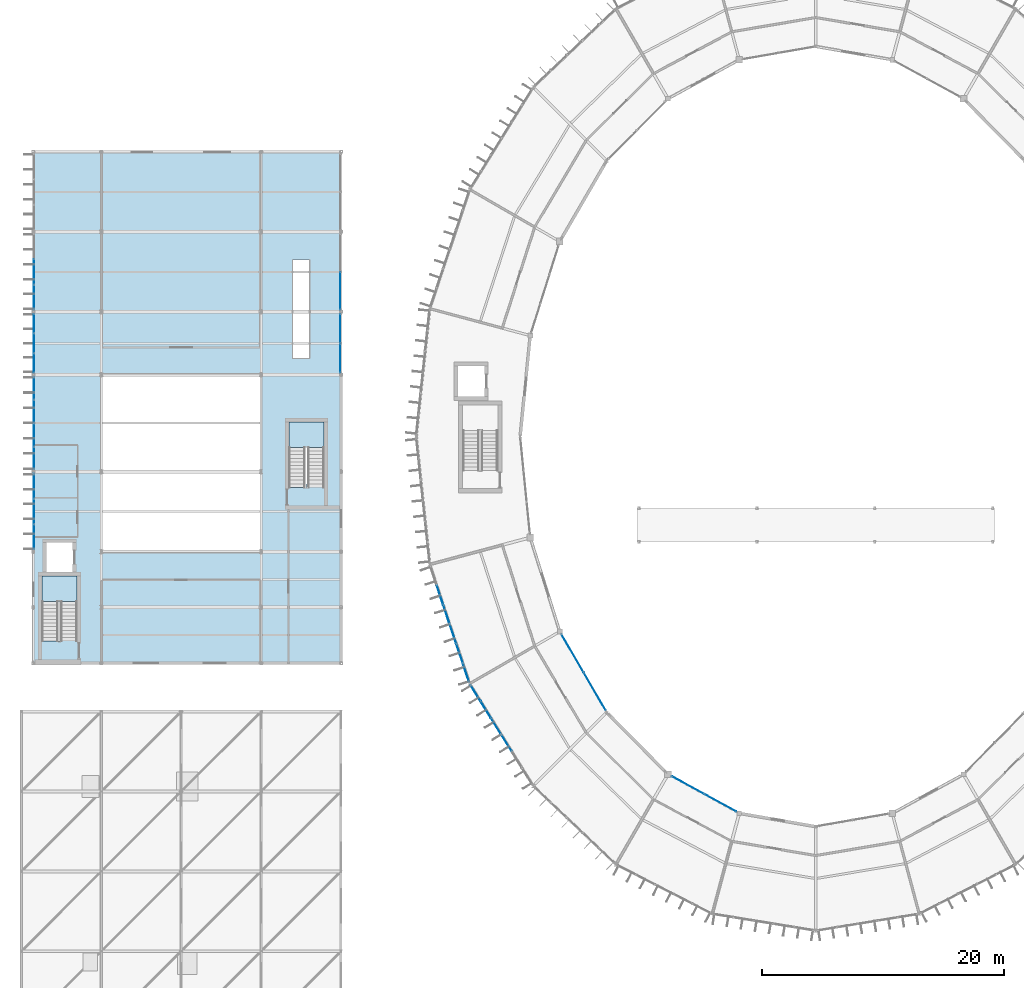
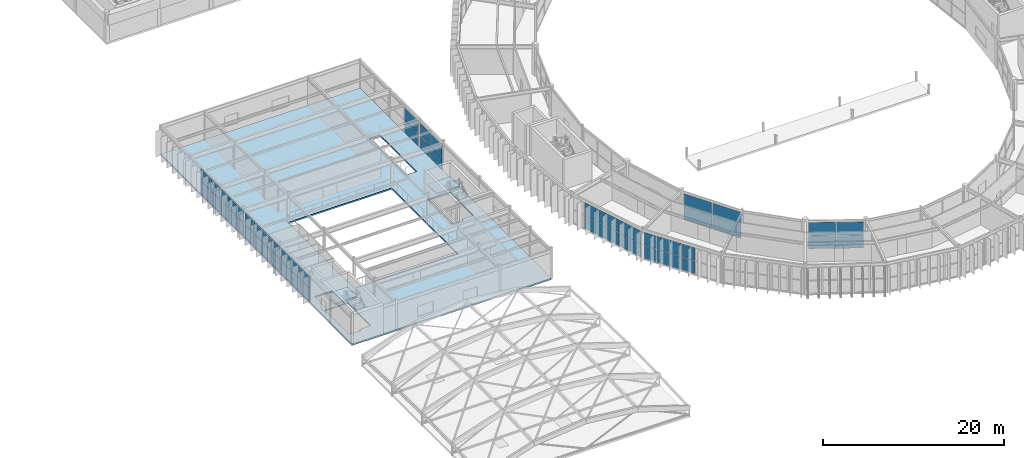
# One storey, part 113 of 157: 56 plates, 3 slabs, 12 elements without a shape of their own.
"""IFC4 building model written with IfcOpenShell, lengths in metres."""

from ifc_helpers import new_model, si_unit, direction, frame, origin, origin_2d, place, context, subcontext, project, spatial, polyline, rectangle, outline, extrude, material, layer, layer_set, type_object, element, aggregate, save


model = new_model("IFC4")

# Units and contexts
model_context = context("Model", 3, precision=1e-05, world=origin(), true_north=direction((0.0, 1.0)))
body_context = subcontext(model_context, "Body", "Model", "MODEL_VIEW")
ifc_project = project(units=[si_unit("LENGTHUNIT", "METRE"), si_unit("AREAUNIT", "SQUARE_METRE"), si_unit("VOLUMEUNIT", "CUBIC_METRE"), si_unit("PLANEANGLEUNIT", "RADIAN"), si_unit("MASSUNIT", "GRAM", prefix="KILO")], contexts=[model_context])

# Site, building, storey
site_placement = place(None, origin())
site = spatial("IfcSite", under=ifc_project, at=site_placement, CompositionType="ELEMENT")
building_placement = place(site_placement, origin())
building = spatial("IfcBuilding", under=site, at=building_placement, Name="Karori Crest Natural Sciences Institute", CompositionType="ELEMENT")
storey_placement = place(building_placement, frame((0.0, 0.0, 13.300048828125)))
storey = spatial("IfcBuildingStorey", under=building, at=storey_placement, Name="L03", CompositionType="ELEMENT", Elevation=13.300048828125)

# Curtain wall, plates
ifc_material_1 = material(Name="Anodised architectural aluminium 6063-T6", Category="aluminium")
curtain_wall_type_1 = type_object("IfcCurtainWallType", Name="CWT-15", PredefinedType="NOTDEFINED", material=ifc_material_1)
curtain_wall_1_placement = place(storey_placement, origin())
curtain_wall_1 = element("IfcCurtainWall", 1, at=curtain_wall_1_placement, inside=storey, type_object=curtain_wall_type_1, Name="Curtain wall CW-0122", PredefinedType="NOTDEFINED")
ifc_material_2 = material(Name="Double low-E laminated glass", Category="glass")
ifc_layer_1 = layer(ifc_material_2, 0.02392578125, Name="Double low-E laminated glass")
ifc_layer_set_1 = layer_set([ifc_layer_1], Name="Double low-E laminated glass")
plate_type_1 = type_object("IfcPlateType", Name="CWP-01", PredefinedType="CURTAIN_PANEL", material=ifc_layer_set_1)
plate_1_placement = place(storey_placement, frame((46.318115234375, 31.995849609375, 0.06005859375), z_axis=(0.0, 0.0, 1.0), x_axis=(0.502654910341, -0.864487154971, 0.0)))
plate_1 = element("IfcPlate", 2, at=plate_1_placement, type_object=plate_type_1, Name="CW-0122 panel 1.1", PredefinedType="CURTAIN_PANEL", context=body_context, shape_type="SweptSolid", body=[
    extrude(rectangle(XDim=3.585205078125, YDim=0.02392578125, at=origin_2d()), origin(), (0.0, 0.0, 1.0), 1.735107421875),
])
plate_2_placement = place(storey_placement, frame((46.318115234375, 31.995849609375, 1.85498046875), z_axis=(0.0, 0.0, 1.0), x_axis=(0.502654910341, -0.864487154971, 0.0)))
plate_2 = element("IfcPlate", 3, at=plate_2_placement, type_object=plate_type_1, Name="CW-0122 panel 1.2", PredefinedType="CURTAIN_PANEL", context=body_context, shape_type="SweptSolid", body=[
    extrude(rectangle(XDim=3.585205078125, YDim=0.02392578125, at=origin_2d()), origin(), (0.0, 0.0, 1.0), 1.735107421875),
])
plate_3_placement = place(storey_placement, frame((48.15283203125, 28.84033203125, 0.06005859375), z_axis=(0.0, 0.0, 1.0), x_axis=(0.502654910341, -0.864487154971, 0.0)))
plate_3 = element("IfcPlate", 4, at=plate_3_placement, type_object=plate_type_1, Name="CW-0122 panel 2.1", PredefinedType="CURTAIN_PANEL", context=body_context, shape_type="SweptSolid", body=[
    extrude(rectangle(XDim=3.585205078125, YDim=0.02392578125, at=origin_2d()), origin(), (0.0, 0.0, 1.0), 1.735107421875),
])
plate_4_placement = place(storey_placement, frame((48.15283203125, 28.84033203125, 1.85498046875), z_axis=(0.0, 0.0, 1.0), x_axis=(0.502654910341, -0.864487154971, 0.0)))
plate_4 = element("IfcPlate", 5, at=plate_4_placement, type_object=plate_type_1, Name="CW-0122 panel 2.2", PredefinedType="CURTAIN_PANEL", context=body_context, shape_type="SweptSolid", body=[
    extrude(rectangle(XDim=3.585205078125, YDim=0.02392578125, at=origin_2d()), origin(), (0.0, 0.0, 1.0), 1.735107421875),
])
aggregate(curtain_wall_1, [plate_1, plate_2, plate_3, plate_4])

curtain_wall_type_2 = type_object("IfcCurtainWallType", Name="CWT-12", PredefinedType="NOTDEFINED", material=ifc_material_1)
curtain_wall_2_placement = place(storey_placement, origin())
curtain_wall_2 = element("IfcCurtainWall", 6, at=curtain_wall_2_placement, inside=storey, type_object=curtain_wall_type_2, Name="Curtain wall CW-0125", PredefinedType="NOTDEFINED")
plate_5_placement = place(storey_placement, frame((55.8408203125, 21.116943359375, 0.06005859375), z_axis=(0.0, 0.0, 1.0), x_axis=(0.877470277057, -0.479631017431, 0.0)))
plate_5 = element("IfcPlate", 7, at=plate_5_placement, type_object=plate_type_1, Name="CW-0125 panel 1.1", PredefinedType="CURTAIN_PANEL", context=body_context, shape_type="SweptSolid", body=[
    extrude(rectangle(XDim=2.987060546875, YDim=0.02392578125, at=origin_2d()), origin(), (0.0, 0.0, 1.0), 1.735107421875),
])
plate_6_placement = place(storey_placement, frame((55.8408203125, 21.116943359375, 1.85498046875), z_axis=(0.0, 0.0, 1.0), x_axis=(0.877470277057, -0.479631017431, 0.0)))
plate_6 = element("IfcPlate", 8, at=plate_6_placement, type_object=plate_type_1, Name="CW-0125 panel 1.2", PredefinedType="CURTAIN_PANEL", context=body_context, shape_type="SweptSolid", body=[
    extrude(rectangle(XDim=2.987060546875, YDim=0.02392578125, at=origin_2d()), origin(), (0.0, 0.0, 1.0), 1.735107421875),
])
plate_7_placement = place(storey_placement, frame((58.51904296875, 19.653076171875, 0.06005859375), z_axis=(0.0, 0.0, 1.0), x_axis=(0.877470277057, -0.479631017431, 0.0)))
plate_7 = element("IfcPlate", 9, at=plate_7_placement, type_object=plate_type_1, Name="CW-0125 panel 2.1", PredefinedType="CURTAIN_PANEL", context=body_context, shape_type="SweptSolid", body=[
    extrude(rectangle(XDim=2.987060546875, YDim=0.02392578125, at=origin_2d()), origin(), (0.0, 0.0, 1.0), 1.735107421875),
])
plate_8_placement = place(storey_placement, frame((58.51904296875, 19.653076171875, 1.85498046875), z_axis=(0.0, 0.0, 1.0), x_axis=(0.877470277057, -0.479631017431, 0.0)))
plate_8 = element("IfcPlate", 10, at=plate_8_placement, type_object=plate_type_1, Name="CW-0125 panel 2.2", PredefinedType="CURTAIN_PANEL", context=body_context, shape_type="SweptSolid", body=[
    extrude(rectangle(XDim=2.987060546875, YDim=0.02392578125, at=origin_2d()), origin(), (0.0, 0.0, 1.0), 1.735107421875),
])
aggregate(curtain_wall_2, [plate_5, plate_6, plate_7, plate_8])

curtain_wall_type_3 = type_object("IfcCurtainWallType", Name="CWT-17", PredefinedType="NOTDEFINED", material=ifc_material_1)
curtain_wall_3_placement = place(storey_placement, origin())
curtain_wall_3 = element("IfcCurtainWall", 11, at=curtain_wall_3_placement, inside=storey, type_object=curtain_wall_type_3, Name="Curtain wall CW-0278", PredefinedType="NOTDEFINED")
plate_9_placement = place(storey_placement, frame((1.860107421875, 41.59814453125, 0.06005859375), z_axis=(0.0, 0.0, 1.0), x_axis=(0.0, 1.0, 0.0)))
plate_9 = element("IfcPlate", 12, at=plate_9_placement, type_object=plate_type_1, Name="CW-0278 panel 1.1", PredefinedType="CURTAIN_PANEL", context=body_context, shape_type="SweptSolid", body=[
    extrude(rectangle(XDim=2.0205078125, YDim=0.02392578125, at=origin_2d()), origin(), (0.0, 0.0, 1.0), 1.632568359375),
])
plate_10_placement = place(storey_placement, frame((1.860107421875, 41.59814453125, 1.75244140625), z_axis=(0.0, 0.0, 1.0), x_axis=(0.0, 1.0, 0.0)))
plate_10 = element("IfcPlate", 13, at=plate_10_placement, type_object=plate_type_1, Name="CW-0278 panel 1.2", PredefinedType="CURTAIN_PANEL", context=body_context, shape_type="SweptSolid", body=[
    extrude(rectangle(XDim=2.0205078125, YDim=0.02392578125, at=origin_2d()), origin(), (0.0, 0.0, 1.0), 1.632568359375),
])
plate_11_placement = place(storey_placement, frame((1.860107421875, 43.699951171875, 0.06005859375), z_axis=(0.0, 0.0, 1.0), x_axis=(0.0, 1.0, 0.0)))
plate_11 = element("IfcPlate", 14, at=plate_11_placement, type_object=plate_type_1, Name="CW-0278 panel 2.1", PredefinedType="CURTAIN_PANEL", context=body_context, shape_type="SweptSolid", body=[
    extrude(rectangle(XDim=2.052978515625, YDim=0.02392578125, at=origin_2d()), origin(), (0.0, 0.0, 1.0), 1.632568359375),
])
plate_12_placement = place(storey_placement, frame((1.860107421875, 43.699951171875, 1.75244140625), z_axis=(0.0, 0.0, 1.0), x_axis=(0.0, 1.0, 0.0)))
plate_12 = element("IfcPlate", 15, at=plate_12_placement, type_object=plate_type_1, Name="CW-0278 panel 2.2", PredefinedType="CURTAIN_PANEL", context=body_context, shape_type="SweptSolid", body=[
    extrude(rectangle(XDim=2.052978515625, YDim=0.02392578125, at=origin_2d()), origin(), (0.0, 0.0, 1.0), 1.632568359375),
])
plate_13_placement = place(storey_placement, frame((1.860107421875, 45.8017578125, 0.06005859375), z_axis=(0.0, 0.0, 1.0), x_axis=(0.0, 1.0, 0.0)))
plate_13 = element("IfcPlate", 16, at=plate_13_placement, type_object=plate_type_1, Name="CW-0278 panel 3.1", PredefinedType="CURTAIN_PANEL", context=body_context, shape_type="SweptSolid", body=[
    extrude(rectangle(XDim=2.0205078125, YDim=0.02392578125, at=origin_2d()), origin(), (0.0, 0.0, 1.0), 1.632568359375),
])
plate_14_placement = place(storey_placement, frame((1.860107421875, 45.8017578125, 1.75244140625), z_axis=(0.0, 0.0, 1.0), x_axis=(0.0, 1.0, 0.0)))
plate_14 = element("IfcPlate", 17, at=plate_14_placement, type_object=plate_type_1, Name="CW-0278 panel 3.2", PredefinedType="CURTAIN_PANEL", context=body_context, shape_type="SweptSolid", body=[
    extrude(rectangle(XDim=2.0205078125, YDim=0.02392578125, at=origin_2d()), origin(), (0.0, 0.0, 1.0), 1.632568359375),
])
aggregate(curtain_wall_3, [plate_9, plate_10, plate_11, plate_12, plate_13, plate_14])

curtain_wall_4_placement = place(storey_placement, origin())
curtain_wall_4 = element("IfcCurtainWall", 18, at=curtain_wall_4_placement, inside=storey, type_object=curtain_wall_type_3, Name="Curtain wall CW-0279", PredefinedType="NOTDEFINED")
plate_15_placement = place(storey_placement, frame((1.860107421875, 48.1083984375, 0.06005859375), z_axis=(0.0, 0.0, 1.0), x_axis=(0.0, 1.0, 0.0)))
plate_15 = element("IfcPlate", 19, at=plate_15_placement, type_object=plate_type_1, Name="CW-0279 panel 1.1", PredefinedType="CURTAIN_PANEL", context=body_context, shape_type="SweptSolid", body=[
    extrude(rectangle(XDim=1.841064453125, YDim=0.02392578125, at=origin_2d()), origin(), (0.0, 0.0, 1.0), 1.632568359375),
])
plate_16_placement = place(storey_placement, frame((1.860107421875, 48.1083984375, 1.75244140625), z_axis=(0.0, 0.0, 1.0), x_axis=(0.0, 1.0, 0.0)))
plate_16 = element("IfcPlate", 20, at=plate_16_placement, type_object=plate_type_1, Name="CW-0279 panel 1.2", PredefinedType="CURTAIN_PANEL", context=body_context, shape_type="SweptSolid", body=[
    extrude(rectangle(XDim=1.841064453125, YDim=0.02392578125, at=origin_2d()), origin(), (0.0, 0.0, 1.0), 1.632568359375),
])
plate_17_placement = place(storey_placement, frame((1.860107421875, 50.03076171875, 0.06005859375), z_axis=(0.0, 0.0, 1.0), x_axis=(0.0, 1.0, 0.0)))
plate_17 = element("IfcPlate", 21, at=plate_17_placement, type_object=plate_type_1, Name="CW-0279 panel 2.1", PredefinedType="CURTAIN_PANEL", context=body_context, shape_type="SweptSolid", body=[
    extrude(rectangle(XDim=1.87353515625, YDim=0.02392578125, at=origin_2d()), origin(), (0.0, 0.0, 1.0), 1.632568359375),
])
plate_18_placement = place(storey_placement, frame((1.860107421875, 50.03076171875, 1.75244140625), z_axis=(0.0, 0.0, 1.0), x_axis=(0.0, 1.0, 0.0)))
plate_18 = element("IfcPlate", 22, at=plate_18_placement, type_object=plate_type_1, Name="CW-0279 panel 2.2", PredefinedType="CURTAIN_PANEL", context=body_context, shape_type="SweptSolid", body=[
    extrude(rectangle(XDim=1.87353515625, YDim=0.02392578125, at=origin_2d()), origin(), (0.0, 0.0, 1.0), 1.632568359375),
])
plate_19_placement = place(storey_placement, frame((1.860107421875, 51.96923828125, 0.06005859375), z_axis=(0.0, 0.0, 1.0), x_axis=(0.0, 1.0, 0.0)))
plate_19 = element("IfcPlate", 23, at=plate_19_placement, type_object=plate_type_1, Name="CW-0279 panel 3.1", PredefinedType="CURTAIN_PANEL", context=body_context, shape_type="SweptSolid", body=[
    extrude(rectangle(XDim=1.87353515625, YDim=0.02392578125, at=origin_2d()), origin(), (0.0, 0.0, 1.0), 1.632568359375),
])
plate_20_placement = place(storey_placement, frame((1.860107421875, 51.96923828125, 1.75244140625), z_axis=(0.0, 0.0, 1.0), x_axis=(0.0, 1.0, 0.0)))
plate_20 = element("IfcPlate", 24, at=plate_20_placement, type_object=plate_type_1, Name="CW-0279 panel 3.2", PredefinedType="CURTAIN_PANEL", context=body_context, shape_type="SweptSolid", body=[
    extrude(rectangle(XDim=1.87353515625, YDim=0.02392578125, at=origin_2d()), origin(), (0.0, 0.0, 1.0), 1.632568359375),
])
plate_21_placement = place(storey_placement, frame((1.860107421875, 53.8916015625, 0.06005859375), z_axis=(0.0, 0.0, 1.0), x_axis=(0.0, 1.0, 0.0)))
plate_21 = element("IfcPlate", 25, at=plate_21_placement, type_object=plate_type_1, Name="CW-0279 panel 4.1", PredefinedType="CURTAIN_PANEL", context=body_context, shape_type="SweptSolid", body=[
    extrude(rectangle(XDim=1.841064453125, YDim=0.02392578125, at=origin_2d()), origin(), (0.0, 0.0, 1.0), 1.632568359375),
])
plate_22_placement = place(storey_placement, frame((1.860107421875, 53.8916015625, 1.75244140625), z_axis=(0.0, 0.0, 1.0), x_axis=(0.0, 1.0, 0.0)))
plate_22 = element("IfcPlate", 26, at=plate_22_placement, type_object=plate_type_1, Name="CW-0279 panel 4.2", PredefinedType="CURTAIN_PANEL", context=body_context, shape_type="SweptSolid", body=[
    extrude(rectangle(XDim=1.841064453125, YDim=0.02392578125, at=origin_2d()), origin(), (0.0, 0.0, 1.0), 1.632568359375),
])
aggregate(curtain_wall_4, [plate_15, plate_16, plate_17, plate_18, plate_19, plate_20, plate_21, plate_22])

curtain_wall_5_placement = place(storey_placement, origin())
curtain_wall_5 = element("IfcCurtainWall", 27, at=curtain_wall_5_placement, inside=storey, type_object=curtain_wall_type_3, Name="Curtain wall CW-0280", PredefinedType="NOTDEFINED")
plate_23_placement = place(storey_placement, frame((1.860107421875, 55.96484375, 0.06005859375), z_axis=(0.0, 0.0, 1.0), x_axis=(0.0, 1.0, 0.0)))
plate_23 = element("IfcPlate", 28, at=plate_23_placement, type_object=plate_type_1, Name="CW-0280 panel 1.1", PredefinedType="CURTAIN_PANEL", context=body_context, shape_type="SweptSolid", body=[
    extrude(rectangle(XDim=1.553955078125, YDim=0.02392578125, at=origin_2d()), origin(), (0.0, 0.0, 1.0), 1.632568359375),
])
plate_24_placement = place(storey_placement, frame((1.860107421875, 55.96484375, 1.75244140625), z_axis=(0.0, 0.0, 1.0), x_axis=(0.0, 1.0, 0.0)))
plate_24 = element("IfcPlate", 29, at=plate_24_placement, type_object=plate_type_1, Name="CW-0280 panel 1.2", PredefinedType="CURTAIN_PANEL", context=body_context, shape_type="SweptSolid", body=[
    extrude(rectangle(XDim=1.553955078125, YDim=0.02392578125, at=origin_2d()), origin(), (0.0, 0.0, 1.0), 1.632568359375),
])
plate_25_placement = place(storey_placement, frame((1.860107421875, 57.60009765625, 0.06005859375), z_axis=(0.0, 0.0, 1.0), x_axis=(0.0, 1.0, 0.0)))
plate_25 = element("IfcPlate", 30, at=plate_25_placement, type_object=plate_type_1, Name="CW-0280 panel 2.1", PredefinedType="CURTAIN_PANEL", context=body_context, shape_type="SweptSolid", body=[
    extrude(rectangle(XDim=1.58642578125, YDim=0.02392578125, at=origin_2d()), origin(), (0.0, 0.0, 1.0), 1.632568359375),
])
plate_26_placement = place(storey_placement, frame((1.860107421875, 57.60009765625, 1.75244140625), z_axis=(0.0, 0.0, 1.0), x_axis=(0.0, 1.0, 0.0)))
plate_26 = element("IfcPlate", 31, at=plate_26_placement, type_object=plate_type_1, Name="CW-0280 panel 2.2", PredefinedType="CURTAIN_PANEL", context=body_context, shape_type="SweptSolid", body=[
    extrude(rectangle(XDim=1.58642578125, YDim=0.02392578125, at=origin_2d()), origin(), (0.0, 0.0, 1.0), 1.632568359375),
])
plate_27_placement = place(storey_placement, frame((1.860107421875, 59.235107421875, 0.06005859375), z_axis=(0.0, 0.0, 1.0), x_axis=(0.0, 1.0, 0.0)))
plate_27 = element("IfcPlate", 32, at=plate_27_placement, type_object=plate_type_1, Name="CW-0280 panel 3.1", PredefinedType="CURTAIN_PANEL", context=body_context, shape_type="SweptSolid", body=[
    extrude(rectangle(XDim=1.553955078125, YDim=0.02392578125, at=origin_2d()), origin(), (0.0, 0.0, 1.0), 1.632568359375),
])
plate_28_placement = place(storey_placement, frame((1.860107421875, 59.235107421875, 1.75244140625), z_axis=(0.0, 0.0, 1.0), x_axis=(0.0, 1.0, 0.0)))
plate_28 = element("IfcPlate", 33, at=plate_28_placement, type_object=plate_type_1, Name="CW-0280 panel 3.2", PredefinedType="CURTAIN_PANEL", context=body_context, shape_type="SweptSolid", body=[
    extrude(rectangle(XDim=1.553955078125, YDim=0.02392578125, at=origin_2d()), origin(), (0.0, 0.0, 1.0), 1.632568359375),
])
aggregate(curtain_wall_5, [plate_23, plate_24, plate_25, plate_26, plate_27, plate_28])

curtain_wall_6_placement = place(storey_placement, origin())
curtain_wall_6 = element("IfcCurtainWall", 34, at=curtain_wall_6_placement, inside=storey, type_object=curtain_wall_type_3, Name="Curtain wall CW-0281", PredefinedType="NOTDEFINED")
plate_29_placement = place(storey_placement, frame((1.860107421875, 61.398193359375, 0.06005859375), z_axis=(0.0, 0.0, 1.0), x_axis=(0.0, 1.0, 0.0)))
plate_29 = element("IfcPlate", 35, at=plate_29_placement, type_object=plate_type_1, Name="CW-0281 panel 1.1", PredefinedType="CURTAIN_PANEL", context=body_context, shape_type="SweptSolid", body=[
    extrude(rectangle(XDim=2.0205078125, YDim=0.02392578125, at=origin_2d()), origin(), (0.0, 0.0, 1.0), 1.632568359375),
])
plate_30_placement = place(storey_placement, frame((1.860107421875, 61.398193359375, 1.75244140625), z_axis=(0.0, 0.0, 1.0), x_axis=(0.0, 1.0, 0.0)))
plate_30 = element("IfcPlate", 36, at=plate_30_placement, type_object=plate_type_1, Name="CW-0281 panel 1.2", PredefinedType="CURTAIN_PANEL", context=body_context, shape_type="SweptSolid", body=[
    extrude(rectangle(XDim=2.0205078125, YDim=0.02392578125, at=origin_2d()), origin(), (0.0, 0.0, 1.0), 1.632568359375),
])
plate_31_placement = place(storey_placement, frame((1.860107421875, 63.5, 0.06005859375), z_axis=(0.0, 0.0, 1.0), x_axis=(0.0, 1.0, 0.0)))
plate_31 = element("IfcPlate", 37, at=plate_31_placement, type_object=plate_type_1, Name="CW-0281 panel 2.1", PredefinedType="CURTAIN_PANEL", context=body_context, shape_type="SweptSolid", body=[
    extrude(rectangle(XDim=2.052978515625, YDim=0.02392578125, at=origin_2d()), origin(), (0.0, 0.0, 1.0), 1.632568359375),
])
plate_32_placement = place(storey_placement, frame((1.860107421875, 63.5, 1.75244140625), z_axis=(0.0, 0.0, 1.0), x_axis=(0.0, 1.0, 0.0)))
plate_32 = element("IfcPlate", 38, at=plate_32_placement, type_object=plate_type_1, Name="CW-0281 panel 2.2", PredefinedType="CURTAIN_PANEL", context=body_context, shape_type="SweptSolid", body=[
    extrude(rectangle(XDim=2.052978515625, YDim=0.02392578125, at=origin_2d()), origin(), (0.0, 0.0, 1.0), 1.632568359375),
])
aggregate(curtain_wall_6, [plate_29, plate_30, plate_31, plate_32])

curtain_wall_type_4 = type_object("IfcCurtainWallType", Name="CWT-18", PredefinedType="NOTDEFINED", material=ifc_material_1)
curtain_wall_7_placement = place(storey_placement, origin())
curtain_wall_7 = element("IfcCurtainWall", 39, at=curtain_wall_7_placement, inside=storey, type_object=curtain_wall_type_4, Name="Curtain wall CW-0283", PredefinedType="NOTDEFINED")
plate_33_placement = place(storey_placement, frame((27.139892578125, 58.822265625, 0.06005859375), z_axis=(0.0, 0.0, 1.0), x_axis=(0.0, -1.0, 0.0)))
plate_33 = element("IfcPlate", 40, at=plate_33_placement, type_object=plate_type_1, Name="CW-0283 panel 1.1", PredefinedType="CURTAIN_PANEL", context=body_context, shape_type="SweptSolid", body=[
    extrude(rectangle(XDim=2.37939453125, YDim=0.02392578125, at=origin_2d()), origin(), (0.0, 0.0, 1.0), 1.632568359375),
])
plate_34_placement = place(storey_placement, frame((27.139892578125, 58.822265625, 1.75244140625), z_axis=(0.0, 0.0, 1.0), x_axis=(0.0, -1.0, 0.0)))
plate_34 = element("IfcPlate", 41, at=plate_34_placement, type_object=plate_type_1, Name="CW-0283 panel 1.2", PredefinedType="CURTAIN_PANEL", context=body_context, shape_type="SweptSolid", body=[
    extrude(rectangle(XDim=2.37939453125, YDim=0.02392578125, at=origin_2d()), origin(), (0.0, 0.0, 1.0), 1.632568359375),
])
plate_35_placement = place(storey_placement, frame((27.139892578125, 56.377685546875, 0.06005859375), z_axis=(0.0, 0.0, 1.0), x_axis=(0.0, -1.0, 0.0)))
plate_35 = element("IfcPlate", 42, at=plate_35_placement, type_object=plate_type_1, Name="CW-0283 panel 2.1", PredefinedType="CURTAIN_PANEL", context=body_context, shape_type="SweptSolid", body=[
    extrude(rectangle(XDim=2.37939453125, YDim=0.02392578125, at=origin_2d()), origin(), (0.0, 0.0, 1.0), 1.632568359375),
])
plate_36_placement = place(storey_placement, frame((27.139892578125, 56.377685546875, 1.75244140625), z_axis=(0.0, 0.0, 1.0), x_axis=(0.0, -1.0, 0.0)))
plate_36 = element("IfcPlate", 43, at=plate_36_placement, type_object=plate_type_1, Name="CW-0283 panel 2.2", PredefinedType="CURTAIN_PANEL", context=body_context, shape_type="SweptSolid", body=[
    extrude(rectangle(XDim=2.37939453125, YDim=0.02392578125, at=origin_2d()), origin(), (0.0, 0.0, 1.0), 1.632568359375),
])
aggregate(curtain_wall_7, [plate_33, plate_34, plate_35, plate_36])

curtain_wall_8_placement = place(storey_placement, origin())
curtain_wall_8 = element("IfcCurtainWall", 44, at=curtain_wall_8_placement, inside=storey, type_object=curtain_wall_type_4, Name="Curtain wall CW-0284", PredefinedType="NOTDEFINED")
plate_37_placement = place(storey_placement, frame((27.139892578125, 61.927734375, 0.06005859375), z_axis=(0.0, 0.0, 1.0), x_axis=(0.0, -1.0, 0.0)))
plate_37 = element("IfcPlate", 45, at=plate_37_placement, type_object=plate_type_1, Name="CW-0284 panel 2.1", PredefinedType="CURTAIN_PANEL", context=body_context, shape_type="SweptSolid", body=[
    extrude(rectangle(XDim=3.07958984375, YDim=0.02392578125, at=origin_2d()), origin(), (0.0, 0.0, 1.0), 1.632568359375),
])
plate_38_placement = place(storey_placement, frame((27.139892578125, 61.927734375, 1.75244140625), z_axis=(0.0, 0.0, 1.0), x_axis=(0.0, -1.0, 0.0)))
plate_38 = element("IfcPlate", 46, at=plate_38_placement, type_object=plate_type_1, Name="CW-0284 panel 2.2", PredefinedType="CURTAIN_PANEL", context=body_context, shape_type="SweptSolid", body=[
    extrude(rectangle(XDim=3.07958984375, YDim=0.02392578125, at=origin_2d()), origin(), (0.0, 0.0, 1.0), 1.632568359375),
])
aggregate(curtain_wall_8, [plate_37, plate_38])

curtain_wall_type_5 = type_object("IfcCurtainWallType", Name="CWT-04", PredefinedType="NOTDEFINED", material=ifc_material_1)
curtain_wall_9_placement = place(storey_placement, origin())
curtain_wall_9 = element("IfcCurtainWall", 47, at=curtain_wall_9_placement, inside=storey, type_object=curtain_wall_type_5, Name="Curtain wall CW-0120", PredefinedType="NOTDEFINED")
ifc_layer_2 = layer(ifc_material_2, 0.033935546875, Name="Double low-E laminated glass")
ifc_layer_set_2 = layer_set([ifc_layer_2], Name="Double low-E laminated glass")
plate_type_2 = type_object("IfcPlateType", Name="CWP-02", PredefinedType="CURTAIN_PANEL", material=ifc_layer_set_2)
plate_39_placement = place(storey_placement, frame((37.5205078125, 30.3974609375, 0.06005859375), z_axis=(0.0, 0.0, 1.0), x_axis=(-0.317679803392, 0.94819805026, 0.0)))
plate_39 = element("IfcPlate", 48, at=plate_39_placement, type_object=plate_type_2, Name="CW-0120 panel 1.1", PredefinedType="CURTAIN_PANEL", context=body_context, shape_type="SweptSolid", body=[
    extrude(rectangle(XDim=1.59619140625, YDim=0.033935546875, at=origin_2d()), origin(), (0.0, 0.0, 1.0), 1.722412109375),
])
plate_40_placement = place(storey_placement, frame((37.5205078125, 30.3974609375, 1.84228515625), z_axis=(0.0, 0.0, 1.0), x_axis=(-0.317679803392, 0.94819805026, 0.0)))
plate_40 = element("IfcPlate", 49, at=plate_40_placement, type_object=plate_type_2, Name="CW-0120 panel 1.2", PredefinedType="CURTAIN_PANEL", context=body_context, shape_type="SweptSolid", body=[
    extrude(rectangle(XDim=1.59619140625, YDim=0.033935546875, at=origin_2d()), origin(), (0.0, 0.0, 1.0), 1.722412109375),
])
plate_41_placement = place(storey_placement, frame((36.987548828125, 31.988037109375, 0.06005859375), z_axis=(0.0, 0.0, 1.0), x_axis=(-0.317679803392, 0.94819805026, 0.0)))
plate_41 = element("IfcPlate", 50, at=plate_41_placement, type_object=plate_type_2, Name="CW-0120 panel 2.1", PredefinedType="CURTAIN_PANEL", context=body_context, shape_type="SweptSolid", body=[
    extrude(rectangle(XDim=1.628662109375, YDim=0.033935546875, at=origin_2d()), origin(), (0.0, 0.0, 1.0), 1.722412109375),
])
plate_42_placement = place(storey_placement, frame((36.987548828125, 31.988037109375, 1.84228515625), z_axis=(0.0, 0.0, 1.0), x_axis=(-0.317679803392, 0.94819805026, 0.0)))
plate_42 = element("IfcPlate", 51, at=plate_42_placement, type_object=plate_type_2, Name="CW-0120 panel 2.2", PredefinedType="CURTAIN_PANEL", context=body_context, shape_type="SweptSolid", body=[
    extrude(rectangle(XDim=1.628662109375, YDim=0.033935546875, at=origin_2d()), origin(), (0.0, 0.0, 1.0), 1.722412109375),
])
plate_43_placement = place(storey_placement, frame((36.449462890625, 33.593994140625, 0.06005859375), z_axis=(0.0, 0.0, 1.0), x_axis=(-0.317679803392, 0.94819805026, 0.0)))
plate_43 = element("IfcPlate", 52, at=plate_43_placement, type_object=plate_type_2, Name="CW-0120 panel 3.1", PredefinedType="CURTAIN_PANEL", context=body_context, shape_type="SweptSolid", body=[
    extrude(rectangle(XDim=1.628662109375, YDim=0.033935546875, at=origin_2d()), origin(), (0.0, 0.0, 1.0), 1.722412109375),
])
plate_44_placement = place(storey_placement, frame((36.449462890625, 33.593994140625, 1.84228515625), z_axis=(0.0, 0.0, 1.0), x_axis=(-0.317679803392, 0.94819805026, 0.0)))
plate_44 = element("IfcPlate", 53, at=plate_44_placement, type_object=plate_type_2, Name="CW-0120 panel 3.2", PredefinedType="CURTAIN_PANEL", context=body_context, shape_type="SweptSolid", body=[
    extrude(rectangle(XDim=1.628662109375, YDim=0.033935546875, at=origin_2d()), origin(), (0.0, 0.0, 1.0), 1.722412109375),
])
plate_45_placement = place(storey_placement, frame((35.911376953125, 35.2001953125, 0.06005859375), z_axis=(0.0, 0.0, 1.0), x_axis=(-0.317679803392, 0.94819805026, 0.0)))
plate_45 = element("IfcPlate", 54, at=plate_45_placement, type_object=plate_type_2, Name="CW-0120 panel 4.1", PredefinedType="CURTAIN_PANEL", context=body_context, shape_type="SweptSolid", body=[
    extrude(rectangle(XDim=1.628662109375, YDim=0.033935546875, at=origin_2d()), origin(), (0.0, 0.0, 1.0), 1.722412109375),
])
plate_46_placement = place(storey_placement, frame((35.911376953125, 35.2001953125, 1.84228515625), z_axis=(0.0, 0.0, 1.0), x_axis=(-0.317679803392, 0.94819805026, 0.0)))
plate_46 = element("IfcPlate", 55, at=plate_46_placement, type_object=plate_type_2, Name="CW-0120 panel 4.2", PredefinedType="CURTAIN_PANEL", context=body_context, shape_type="SweptSolid", body=[
    extrude(rectangle(XDim=1.628662109375, YDim=0.033935546875, at=origin_2d()), origin(), (0.0, 0.0, 1.0), 1.722412109375),
])
plate_47_placement = place(storey_placement, frame((35.373291015625, 36.80615234375, 0.06005859375), z_axis=(0.0, 0.0, 1.0), x_axis=(-0.317679803392, 0.94819805026, 0.0)))
plate_47 = element("IfcPlate", 56, at=plate_47_placement, type_object=plate_type_2, Name="CW-0120 panel 5.1", PredefinedType="CURTAIN_PANEL", context=body_context, shape_type="SweptSolid", body=[
    extrude(rectangle(XDim=1.628662109375, YDim=0.033935546875, at=origin_2d()), origin(), (0.0, 0.0, 1.0), 1.722412109375),
])
plate_48_placement = place(storey_placement, frame((35.373291015625, 36.80615234375, 1.84228515625), z_axis=(0.0, 0.0, 1.0), x_axis=(-0.317679803392, 0.94819805026, 0.0)))
plate_48 = element("IfcPlate", 57, at=plate_48_placement, type_object=plate_type_2, Name="CW-0120 panel 5.2", PredefinedType="CURTAIN_PANEL", context=body_context, shape_type="SweptSolid", body=[
    extrude(rectangle(XDim=1.628662109375, YDim=0.033935546875, at=origin_2d()), origin(), (0.0, 0.0, 1.0), 1.722412109375),
])
aggregate(curtain_wall_9, [plate_39, plate_40, plate_41, plate_42, plate_43, plate_44, plate_45, plate_46, plate_47, plate_48])

curtain_wall_type_6 = type_object("IfcCurtainWallType", Name="CWT-05", PredefinedType="NOTDEFINED", material=ifc_material_1)
curtain_wall_10_placement = place(storey_placement, origin())
curtain_wall_10 = element("IfcCurtainWall", 58, at=curtain_wall_10_placement, inside=storey, type_object=curtain_wall_type_6, Name="Curtain wall CW-0121", PredefinedType="NOTDEFINED")
ifc_layer_3 = layer(ifc_material_2, 0.0439453125, Name="Double low-E laminated glass")
ifc_layer_set_3 = layer_set([ifc_layer_3], Name="Double low-E laminated glass")
plate_type_3 = type_object("IfcPlateType", Name="CWP-03", PredefinedType="CURTAIN_PANEL", material=ifc_layer_set_3)
plate_49_placement = place(storey_placement, frame((40.8544921875, 24.612548828125, 0.06494140625), z_axis=(0.0, 0.0, 1.0), x_axis=(-0.527327706489, 0.849661985715, 0.0)))
plate_49 = element("IfcPlate", 59, at=plate_49_placement, type_object=plate_type_3, Name="CW-0121 panel 3.1", PredefinedType="CURTAIN_PANEL", context=body_context, shape_type="SweptSolid", body=[
    extrude(rectangle(XDim=1.5517578125, YDim=0.0439453125, at=origin_2d()), origin(), (0.0, 0.0, 1.0), 1.715087890625),
])
plate_50_placement = place(storey_placement, frame((40.8544921875, 24.612548828125, 1.8447265625), z_axis=(0.0, 0.0, 1.0), x_axis=(-0.527327706489, 0.849661985715, 0.0)))
plate_50 = element("IfcPlate", 60, at=plate_50_placement, type_object=plate_type_3, Name="CW-0121 panel 3.2", PredefinedType="CURTAIN_PANEL", context=body_context, shape_type="SweptSolid", body=[
    extrude(rectangle(XDim=1.5517578125, YDim=0.0439453125, at=origin_2d()), origin(), (0.0, 0.0, 1.0), 1.715087890625),
])
plate_51_placement = place(storey_placement, frame((40.001953125, 25.986328125, 0.06494140625), z_axis=(0.0, 0.0, 1.0), x_axis=(-0.527327706489, 0.849661985715, 0.0)))
plate_51 = element("IfcPlate", 61, at=plate_51_placement, type_object=plate_type_3, Name="CW-0121 panel 4.1", PredefinedType="CURTAIN_PANEL", context=body_context, shape_type="SweptSolid", body=[
    extrude(rectangle(XDim=1.5517578125, YDim=0.0439453125, at=origin_2d()), origin(), (0.0, 0.0, 1.0), 1.715087890625),
])
plate_52_placement = place(storey_placement, frame((40.001953125, 25.986328125, 1.8447265625), z_axis=(0.0, 0.0, 1.0), x_axis=(-0.527327706489, 0.849661985715, 0.0)))
plate_52 = element("IfcPlate", 62, at=plate_52_placement, type_object=plate_type_3, Name="CW-0121 panel 4.2", PredefinedType="CURTAIN_PANEL", context=body_context, shape_type="SweptSolid", body=[
    extrude(rectangle(XDim=1.5517578125, YDim=0.0439453125, at=origin_2d()), origin(), (0.0, 0.0, 1.0), 1.715087890625),
])
plate_53_placement = place(storey_placement, frame((39.149169921875, 27.360107421875, 0.06494140625), z_axis=(0.0, 0.0, 1.0), x_axis=(-0.527327706489, 0.849661985715, 0.0)))
plate_53 = element("IfcPlate", 63, at=plate_53_placement, type_object=plate_type_3, Name="CW-0121 panel 5.1", PredefinedType="CURTAIN_PANEL", context=body_context, shape_type="SweptSolid", body=[
    extrude(rectangle(XDim=1.5517578125, YDim=0.0439453125, at=origin_2d()), origin(), (0.0, 0.0, 1.0), 1.715087890625),
])
plate_54_placement = place(storey_placement, frame((39.149169921875, 27.360107421875, 1.8447265625), z_axis=(0.0, 0.0, 1.0), x_axis=(-0.527327706489, 0.849661985715, 0.0)))
plate_54 = element("IfcPlate", 64, at=plate_54_placement, type_object=plate_type_3, Name="CW-0121 panel 5.2", PredefinedType="CURTAIN_PANEL", context=body_context, shape_type="SweptSolid", body=[
    extrude(rectangle(XDim=1.5517578125, YDim=0.0439453125, at=origin_2d()), origin(), (0.0, 0.0, 1.0), 1.715087890625),
])
plate_55_placement = place(storey_placement, frame((38.30517578125, 28.719970703125, 0.06494140625), z_axis=(0.0, 0.0, 1.0), x_axis=(-0.527327706489, 0.849661985715, 0.0)))
plate_55 = element("IfcPlate", 65, at=plate_55_placement, type_object=plate_type_3, Name="CW-0121 panel 6.1", PredefinedType="CURTAIN_PANEL", context=body_context, shape_type="SweptSolid", body=[
    extrude(rectangle(XDim=1.519287109375, YDim=0.0439453125, at=origin_2d()), origin(), (0.0, 0.0, 1.0), 1.715087890625),
])
plate_56_placement = place(storey_placement, frame((38.30517578125, 28.719970703125, 1.8447265625), z_axis=(0.0, 0.0, 1.0), x_axis=(-0.527327706489, 0.849661985715, 0.0)))
plate_56 = element("IfcPlate", 66, at=plate_56_placement, type_object=plate_type_3, Name="CW-0121 panel 6.2", PredefinedType="CURTAIN_PANEL", context=body_context, shape_type="SweptSolid", body=[
    extrude(rectangle(XDim=1.519287109375, YDim=0.0439453125, at=origin_2d()), origin(), (0.0, 0.0, 1.0), 1.715087890625),
])
aggregate(curtain_wall_10, [plate_49, plate_50, plate_51, plate_52, plate_53, plate_54, plate_55, plate_56])

# Slab
ifc_material_3 = material(Name="Concrete 40 MPa", Category="concrete")
ifc_layer_4 = layer(ifc_material_3, 0.199951171875, Name="Concrete 40 MPa")
ifc_layer_set_4 = layer_set([ifc_layer_4], Name="Concrete 40 MPa")
slab_type_1 = type_object("IfcSlabType", Name="SLT-08", PredefinedType="FLOOR", material=ifc_layer_set_4)
slab_1_placement = place(storey_placement, frame((0.0, 0.0, -0.199951171875)))
element("IfcSlab", 67, at=slab_1_placement, inside=storey, type_object=slab_type_1, Name="V3 Slab SL-0120", PredefinedType="FLOOR", context=body_context, shape_type="SweptSolid", body=[
    extrude(outline(polyline([(1.800048828125, 31.199951171875), (27.199951171875, 31.199951171875), (27.199951171875, 73.39990234375), (1.800048828125, 73.39990234375), (1.800048828125, 31.199951171875)]), holes=[polyline([(7.39990234375, 55.0), (20.60009765625, 55.0), (20.60009765625, 40.39990234375), (7.39990234375, 40.39990234375), (7.39990234375, 55.0)]), polyline([(5.39990234375, 33.280029296875), (3.949951171875, 33.280029296875), (3.949951171875, 33.00048828125), (2.5, 33.00048828125), (2.5, 38.39990234375), (5.39990234375, 38.39990234375), (5.39990234375, 33.280029296875)]), polyline([(25.800048828125, 45.97998046875), (24.35009765625, 45.97998046875), (24.35009765625, 45.700439453125), (22.89990234375, 45.700439453125), (22.89990234375, 51.10009765625), (25.800048828125, 51.10009765625), (25.800048828125, 45.97998046875)]), polyline([(23.22509765625, 64.49951171875), (24.574951171875, 64.49951171875), (24.574951171875, 56.39990234375), (23.22509765625, 56.39990234375), (23.22509765625, 64.49951171875)]), polyline([(2.824951171875, 41.175048828125), (5.074951171875, 41.175048828125), (5.074951171875, 38.425048828125), (2.824951171875, 38.425048828125), (2.824951171875, 41.175048828125)])]), origin(), (0.0, 0.0, 1.0), 0.199951171875),
])

# Stair, slab
stair_type = type_object("IfcStairType", Name="STT-01", PredefinedType="HALF_TURN_STAIR", material=ifc_material_3)
stair_1_placement = place(storey_placement, origin())
stair_1 = element("IfcStair", 68, at=stair_1_placement, inside=storey, type_object=stair_type, Name="Protected stair ST-07-L03", PredefinedType="HALF_TURN_STAIR")
ifc_layer_5 = layer(ifc_material_3, 0.2099609375, Name="Concrete 40 MPa")
ifc_layer_set_5 = layer_set([ifc_layer_5], Name="Concrete 40 MPa")
slab_type_2 = type_object("IfcSlabType", Name="SLT-11", PredefinedType="LANDING", material=ifc_layer_set_5)
slab_2_placement = place(storey_placement, frame((0.0, 0.0, 1.889892578125)))
slab_2 = element("IfcSlab", 69, at=slab_2_placement, type_object=slab_type_2, Name="ST-07-L03 landing 1", PredefinedType="LANDING", context=body_context, shape_type="SweptSolid", body=[
    extrude(outline(polyline([(5.39990234375, 36.300048828125), (5.39990234375, 38.39990234375), (2.5, 38.39990234375), (2.5, 36.300048828125), (5.39990234375, 36.300048828125)])), origin(), (0.0, 0.0, 1.0), 0.2099609375),
])
aggregate(stair_1, [slab_2])

stair_2_placement = place(storey_placement, origin())
stair_2 = element("IfcStair", 70, at=stair_2_placement, inside=storey, type_object=stair_type, Name="Protected stair ST-08-L03", PredefinedType="HALF_TURN_STAIR")
slab_3_placement = place(storey_placement, frame((0.0, 0.0, 1.889892578125)))
slab_3 = element("IfcSlab", 71, at=slab_3_placement, type_object=slab_type_2, Name="ST-08-L03 landing 1", PredefinedType="LANDING", context=body_context, shape_type="SweptSolid", body=[
    extrude(outline(polyline([(25.800048828125, 49.0), (25.800048828125, 51.10009765625), (22.89990234375, 51.10009765625), (22.89990234375, 49.0), (25.800048828125, 49.0)])), origin(), (0.0, 0.0, 1.0), 0.2099609375),
])
aggregate(stair_2, [slab_3])

save(model, "model.ifc")
